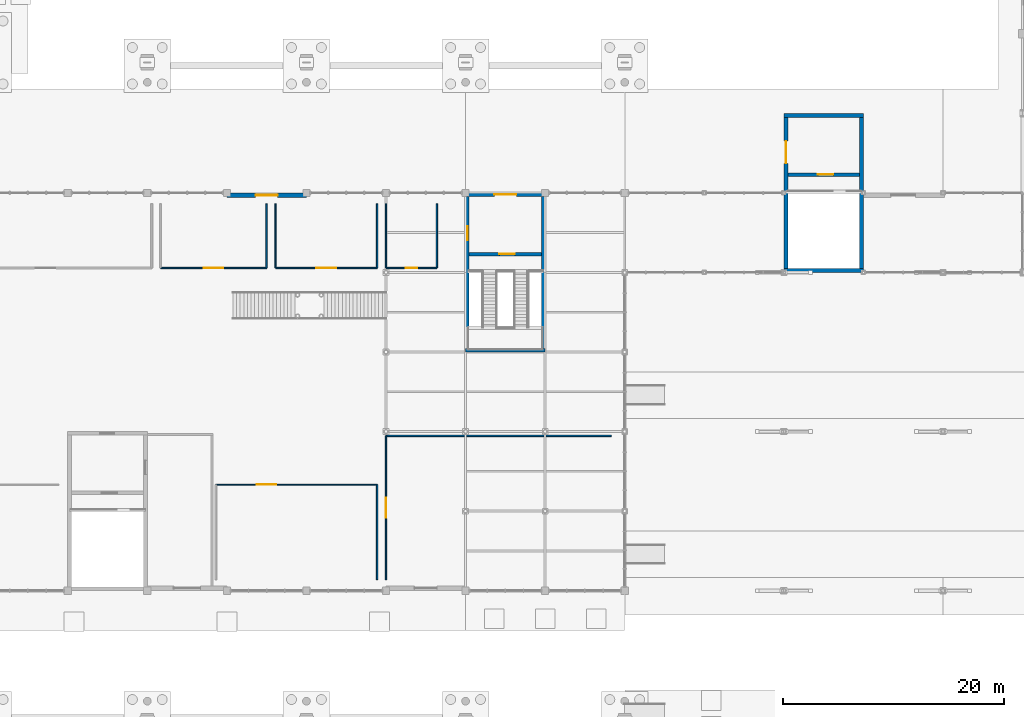
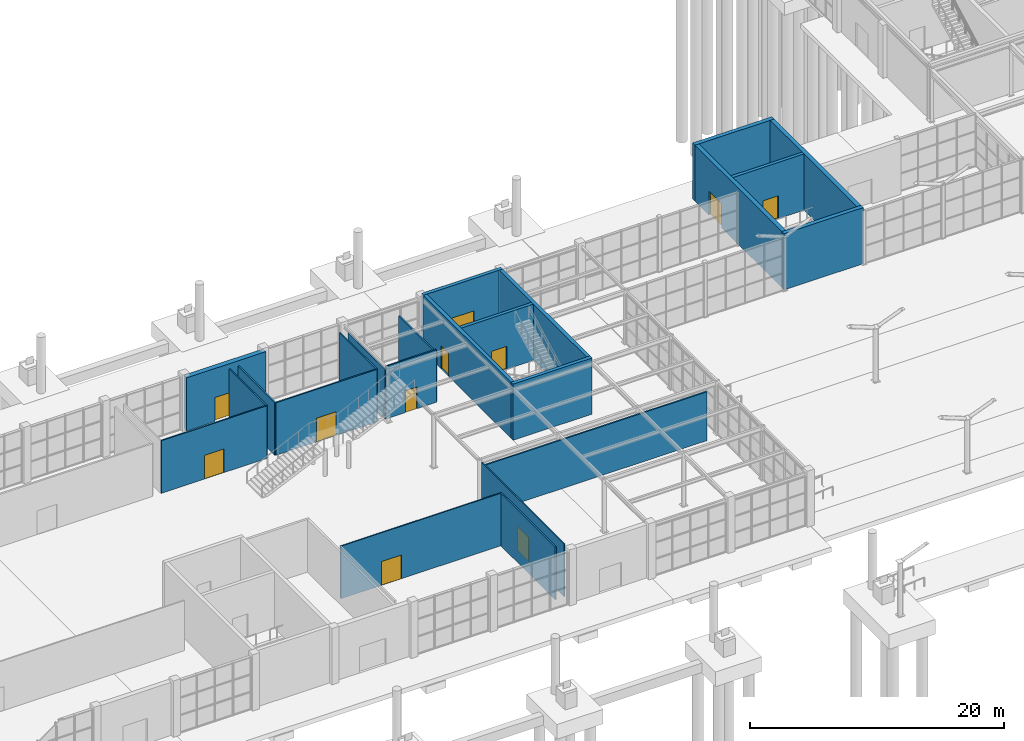
# One storey, part 58 of 75: 23 walls, 11 doors, 11 openings.
"""IFC4 building model written with IfcOpenShell, lengths in metres."""

from ifc_helpers import new_model, si_unit, direction, frame, frame_2d, origin, place, context, subcontext, project, spatial, rectangle, extrude, material, layer, layer_set, type_object, element, fill, save


model = new_model("IFC4")

# Units and contexts
model_context = context("Model", 3, precision=1e-05, world=origin(), true_north=direction((0.0, 1.0)))
body_context = subcontext(model_context, "Body", "Model", "MODEL_VIEW")
ifc_project = project(units=[si_unit("LENGTHUNIT", "METRE"), si_unit("AREAUNIT", "SQUARE_METRE"), si_unit("VOLUMEUNIT", "CUBIC_METRE"), si_unit("PLANEANGLEUNIT", "RADIAN"), si_unit("MASSUNIT", "GRAM", prefix="KILO")], contexts=[model_context])

# Site, building, storey
site_placement = place(None, origin())
site = spatial("IfcSite", under=ifc_project, at=site_placement, CompositionType="ELEMENT")
building_placement = place(site_placement, origin())
building = spatial("IfcBuilding", under=site, at=building_placement, Name="Leyfeld Transit Interchange", CompositionType="ELEMENT")
storey_placement = place(building_placement, origin())
storey = spatial("IfcBuildingStorey", under=building, at=storey_placement, Name="L00", CompositionType="ELEMENT", Elevation=0.0)

# Wall, opening, door
ifc_material_1 = material(Name="Leitha limestone ashlar - Insulated", Category="masonry")
ifc_layer_1 = layer(ifc_material_1, 0.43994140625, Name="Leitha limestone ashlar - Insulated")
ifc_layer_set_1 = layer_set([ifc_layer_1], Name="Leitha limestone ashlar - Insulated")
wall_type_1 = type_object("IfcWallType", Name="WL-EXT-STN-440", PredefinedType="SOLIDWALL", material=ifc_layer_set_1)
wall_1_placement = place(storey_placement, frame((64.800048828125, 50.179931640625, 0.0), z_axis=(0.0, 0.0, 1.0), x_axis=(1.0, 0.0, 0.0)))
wall_1 = element("IfcWall", 1, at=wall_1_placement, inside=storey, type_object=wall_type_1, Name="External Facade Wall EW-L00-027", PredefinedType="SOLIDWALL", context=body_context, shape_type="SweptSolid", body=[
    extrude(rectangle(XDim=7.199951171875, YDim=0.43994140625, at=frame_2d((3.60009765625, 0.0))), origin(), (0.0, 0.0, 1.0), 5.10009765625),
])
opening_1_placement = place(wall_1_placement, frame((2.60009765625, 0.0, 0.0)))
opening_1 = element("IfcOpeningElement", 2, at=opening_1_placement, cuts=wall_1, Name="Opening DE-03", PredefinedType="OPENING", context=body_context, shape_type="SweptSolid", body=[
    extrude(rectangle(XDim=2.0, YDim=2.300048828125, at=frame_2d((1.0, 1.14990234375))), frame((0.0, 0.22998046875, 0.0), z_axis=(0.0, -1.0, 0.0), x_axis=(1.0, 0.0, 0.0)), (0.0, 0.0, 1.0), 0.4599609375),
])
ifc_material_2 = material(Name="Anodised aluminium EN AW-6060 T66", Category="aluminium")
door_type_1 = type_object("IfcDoorType", Name="DR-EXT-DBL-2000x2300", OperationType="NOTDEFINED", PredefinedType="DOOR", material=ifc_material_2)
door_1_placement = place(opening_1_placement, origin())
door_1 = element("IfcDoor", 3, at=door_1_placement, inside=storey, type_object=door_type_1, Name="DR-EXT-L00-008", OperationType="DOUBLE_DOOR_SINGLE_SWING", OverallHeight=2.300048828125, OverallWidth=2.0, PredefinedType="DOOR", context=body_context, shape_type="SweptSolid", body=[
    extrude(rectangle(XDim=2.0, YDim=2.300048828125, at=frame_2d((1.0, 1.14990234375))), frame((0.0, 0.02490234375, 0.0), z_axis=(0.0, -1.0, 0.0), x_axis=(1.0, 0.0, 0.0)), (0.0, 0.0, 1.0), 0.050048828125),
])
fill(opening_1, door_1)

ifc_material_3 = material(Name="Laminated safety acoustic glazing", Category="glass")
ifc_layer_2 = layer(ifc_material_3, 0.10498046875, Name="Laminated safety acoustic glazing")
ifc_layer_set_2 = layer_set([ifc_layer_2], Name="Laminated safety acoustic glazing")
wall_type_2 = type_object("IfcWallType", Name="WL-INT-GLZ-105", PredefinedType="PARTITIONING", material=ifc_layer_set_2)
wall_2_placement = place(storey_placement, frame((63.800048828125, 24.0, 0.0), z_axis=(0.0, 0.0, 1.0), x_axis=(1.0, 0.0, 0.0)))
wall_2 = element("IfcWall", 4, at=wall_2_placement, inside=storey, type_object=wall_type_2, Name="Interior Partition L00-RET-01 N", PredefinedType="PARTITIONING", context=body_context, shape_type="SweptSolid", body=[
    extrude(rectangle(XDim=14.599853515625, YDim=0.10498046875, at=frame_2d((7.2998046875, 0.0))), origin(), (0.0, 0.0, 1.0), 5.050048828125),
])
opening_2_placement = place(wall_2_placement, frame((3.7099609375, 0.0, 0.0)))
opening_2 = element("IfcOpeningElement", 5, at=opening_2_placement, cuts=wall_2, Name="Opening DU-19", PredefinedType="OPENING", context=body_context, shape_type="SweptSolid", body=[
    extrude(rectangle(XDim=1.780029296875, YDim=2.280029296875, at=frame_2d((0.89013671875, 1.14013671875))), frame((0.0, 0.0625, 0.0), z_axis=(0.0, -1.0, 0.0), x_axis=(1.0, 0.0, 0.0)), (0.0, 0.0, 1.0), 0.125),
])
ifc_material_4 = material(Name="Austrian larch glulam GL28h", Category="wood")
door_type_2 = type_object("IfcDoorType", Name="DR-UNQ-19", OperationType="NOTDEFINED", PredefinedType="DOOR", material=ifc_material_4)
door_2_placement = place(opening_2_placement, origin())
door_2 = element("IfcDoor", 6, at=door_2_placement, inside=storey, type_object=door_type_2, Name="DR-L00-RET-01", OperationType="DOUBLE_DOOR_SINGLE_SWING", OverallHeight=2.280029296875, OverallWidth=1.780029296875, PredefinedType="DOOR", context=body_context, shape_type="SweptSolid", body=[
    extrude(rectangle(XDim=1.780029296875, YDim=2.280029296875, at=frame_2d((0.89013671875, 1.14013671875))), frame((0.0, 0.02490234375, 0.0), z_axis=(0.0, -1.0, 0.0), x_axis=(1.0, 0.0, 0.0)), (0.0, 0.0, 1.0), 0.050048828125),
])
fill(opening_2, door_2)

wall_3_placement = place(storey_placement, frame((79.199951171875, 15.39990234375, 0.0), z_axis=(0.0, 0.0, 1.0), x_axis=(0.0, 1.0, 0.0)))
wall_3 = element("IfcWall", 7, at=wall_3_placement, inside=storey, type_object=wall_type_2, Name="Interior Partition L00-RET-02 W", PredefinedType="PARTITIONING", context=body_context, shape_type="SweptSolid", body=[
    extrude(rectangle(XDim=13.0, YDim=0.10498046875, at=frame_2d((6.5, 0.0))), origin(), (0.0, 0.0, 1.0), 5.050048828125),
])
opening_3_placement = place(wall_3_placement, frame((5.610107421875, 0.0, 0.0)))
opening_3 = element("IfcOpeningElement", 8, at=opening_3_placement, cuts=wall_3, Name="Opening DU-19", PredefinedType="OPENING", context=body_context, shape_type="SweptSolid", body=[
    extrude(rectangle(XDim=1.780029296875, YDim=2.280029296875, at=frame_2d((0.89013671875, 1.14013671875))), frame((0.0, 0.0625, 0.0), z_axis=(0.0, -1.0, 0.0), x_axis=(1.0, 0.0, 0.0)), (0.0, 0.0, 1.0), 0.125),
])
door_3_placement = place(opening_3_placement, origin())
door_3 = element("IfcDoor", 9, at=door_3_placement, inside=storey, type_object=door_type_2, Name="DR-L00-RET-02", OperationType="DOUBLE_DOOR_SINGLE_SWING", OverallHeight=2.280029296875, OverallWidth=1.780029296875, PredefinedType="DOOR", context=body_context, shape_type="SweptSolid", body=[
    extrude(rectangle(XDim=1.780029296875, YDim=2.280029296875, at=frame_2d((0.89013671875, 1.14013671875))), frame((0.0, 0.02490234375, 0.0), z_axis=(0.0, -1.0, 0.0), x_axis=(1.0, 0.0, 0.0)), (0.0, 0.0, 1.0), 0.050048828125),
])
fill(opening_3, door_3)

# Walls
ifc_material_5 = material(Name="Gypsum plasterboard acoustic stud", Category="gypsum")
ifc_layer_3 = layer(ifc_material_5, 0.135009765625, Name="Gypsum plasterboard acoustic stud")
ifc_layer_set_3 = layer_set([ifc_layer_3], Name="Gypsum plasterboard acoustic stud")
wall_type_3 = type_object("IfcWallType", Name="WL-INT-RET-135", PredefinedType="PARTITIONING", material=ifc_layer_set_3)
wall_4_placement = place(storey_placement, frame((78.39990234375, 24.0, 0.0), z_axis=(0.0, 0.0, 1.0), x_axis=(0.0, -1.0, 0.0)))
element("IfcWall", 10, at=wall_4_placement, inside=storey, type_object=wall_type_3, Name="Interior Partition L00-RET-01 E", PredefinedType="PARTITIONING", context=body_context, shape_type="SweptSolid", body=[
    extrude(rectangle(XDim=8.60009765625, YDim=0.135009765625, at=frame_2d((4.300048828125, 0.0))), origin(), (0.0, 0.0, 1.0), 5.050048828125),
])
wall_5_placement = place(storey_placement, frame((79.199951171875, 28.39990234375, 0.0), z_axis=(0.0, 0.0, 1.0), x_axis=(1.0, 0.0, 0.0)))
element("IfcWall", 11, at=wall_5_placement, inside=storey, type_object=wall_type_3, Name="Interior Partition L00-RET-02 N", PredefinedType="PARTITIONING", context=body_context, shape_type="SweptSolid", body=[
    extrude(rectangle(XDim=20.400146484375, YDim=0.135009765625, at=frame_2d((10.2001953125, 0.0))), origin(), (0.0, 0.0, 1.0), 4.699951171875),
])

# Wall, opening, door
ifc_material_6 = material(Name="Autoclaved aerated blockwork G4", Category="masonry")
ifc_layer_4 = layer(ifc_material_6, 0.125, Name="Autoclaved aerated blockwork G4")
ifc_layer_set_4 = layer_set([ifc_layer_4], Name="Autoclaved aerated blockwork G4")
wall_type_4 = type_object("IfcWallType", Name="WL-INT-WC-125", PredefinedType="PARTITIONING", material=ifc_layer_set_4)
wall_6_placement = place(storey_placement, frame((68.39990234375, 43.60009765625, 0.0), z_axis=(0.0, 0.0, 1.0), x_axis=(-1.0, 0.0, 0.0)))
wall_6 = element("IfcWall", 12, at=wall_6_placement, inside=storey, type_object=wall_type_4, Name="Interior Partition L00-WCM-01 S", PredefinedType="PARTITIONING", context=body_context, shape_type="SweptSolid", body=[
    extrude(rectangle(XDim=9.599853515625, YDim=0.125, at=frame_2d((4.7998046875, 0.0))), origin(), (0.0, 0.0, 1.0), 5.050048828125),
])
opening_4_placement = place(wall_6_placement, frame((3.909912109375, 0.0, 0.0)))
opening_4 = element("IfcOpeningElement", 13, at=opening_4_placement, cuts=wall_6, Name="Opening DU-19", PredefinedType="OPENING", context=body_context, shape_type="SweptSolid", body=[
    extrude(rectangle(XDim=1.780029296875, YDim=2.280029296875, at=frame_2d((0.89013671875, 1.14013671875))), frame((0.0, 0.072509765625, 0.0), z_axis=(0.0, -1.0, 0.0), x_axis=(1.0, 0.0, 0.0)), (0.0, 0.0, 1.0), 0.14501953125),
])
door_4_placement = place(opening_4_placement, origin())
door_4 = element("IfcDoor", 14, at=door_4_placement, inside=storey, type_object=door_type_2, Name="DR-L00-WCM-01", OperationType="DOUBLE_DOOR_SINGLE_SWING", OverallHeight=2.280029296875, OverallWidth=1.780029296875, PredefinedType="DOOR", context=body_context, shape_type="SweptSolid", body=[
    extrude(rectangle(XDim=1.780029296875, YDim=2.280029296875, at=frame_2d((0.89013671875, 1.14013671875))), frame((0.0, 0.02490234375, 0.0), z_axis=(0.0, -1.0, 0.0), x_axis=(1.0, 0.0, 0.0)), (0.0, 0.0, 1.0), 0.050048828125),
])
fill(opening_4, door_4)

# Wall
wall_7_placement = place(storey_placement, frame((68.39990234375, 49.39990234375, 0.0), z_axis=(0.0, 0.0, 1.0), x_axis=(0.0, -1.0, 0.0)))
element("IfcWall", 15, at=wall_7_placement, inside=storey, type_object=wall_type_4, Name="Interior Partition L00-WCM-01 E", PredefinedType="PARTITIONING", context=body_context, shape_type="SweptSolid", body=[
    extrude(rectangle(XDim=5.7998046875, YDim=0.125, at=frame_2d((2.89990234375, 0.0))), origin(), (0.0, 0.0, 1.0), 5.050048828125),
])

# Wall, opening, door
wall_8_placement = place(storey_placement, frame((78.39990234375, 43.60009765625, 0.0), z_axis=(0.0, 0.0, 1.0), x_axis=(-1.0, 0.0, 0.0)))
wall_8 = element("IfcWall", 16, at=wall_8_placement, inside=storey, type_object=wall_type_4, Name="Interior Partition L00-WCF-01 S", PredefinedType="PARTITIONING", context=body_context, shape_type="SweptSolid", body=[
    extrude(rectangle(XDim=9.199951171875, YDim=0.125, at=frame_2d((4.60009765625, 0.0))), origin(), (0.0, 0.0, 1.0), 5.050048828125),
])
opening_5_placement = place(wall_8_placement, frame((3.7099609375, 0.0, 0.0)))
opening_5 = element("IfcOpeningElement", 17, at=opening_5_placement, cuts=wall_8, Name="Opening DU-19", PredefinedType="OPENING", context=body_context, shape_type="SweptSolid", body=[
    extrude(rectangle(XDim=1.780029296875, YDim=2.280029296875, at=frame_2d((0.89013671875, 1.14013671875))), frame((0.0, 0.072509765625, 0.0), z_axis=(0.0, -1.0, 0.0), x_axis=(1.0, 0.0, 0.0)), (0.0, 0.0, 1.0), 0.14501953125),
])
door_5_placement = place(opening_5_placement, origin())
door_5 = element("IfcDoor", 18, at=door_5_placement, inside=storey, type_object=door_type_2, Name="DR-L00-WCF-01", OperationType="DOUBLE_DOOR_SINGLE_SWING", OverallHeight=2.280029296875, OverallWidth=1.780029296875, PredefinedType="DOOR", context=body_context, shape_type="SweptSolid", body=[
    extrude(rectangle(XDim=1.780029296875, YDim=2.280029296875, at=frame_2d((0.89013671875, 1.14013671875))), frame((0.0, 0.02490234375, 0.0), z_axis=(0.0, -1.0, 0.0), x_axis=(1.0, 0.0, 0.0)), (0.0, 0.0, 1.0), 0.050048828125),
])
fill(opening_5, door_5)

# Walls
for number, where, z_axis, x_axis, name in (
    (19, (78.39990234375, 49.39990234375, 0.0), (0.0, 0.0, 1.0), (0.0, -1.0, 0.0), "Interior Partition L00-WCF-01 E"),
    (20, (69.199951171875, 43.60009765625, 0.0), (0.0, 0.0, 1.0), (0.0, 1.0, 0.0), "Interior Partition L00-WCF-01 W"),
):
    element("IfcWall", number, at=place(storey_placement, frame(where, z_axis=z_axis, x_axis=x_axis)), inside=storey, type_object=wall_type_4, Name=name, PredefinedType="PARTITIONING", context=body_context, shape_type="SweptSolid", body=[
        extrude(rectangle(XDim=5.7998046875, YDim=0.125, at=frame_2d((2.89990234375, 0.0))), origin(), (0.0, 0.0, 1.0), 5.050048828125),
    ])

# Wall, opening, door
wall_9_placement = place(storey_placement, frame((83.800048828125, 43.60009765625, 0.0), z_axis=(0.0, 0.0, 1.0), x_axis=(-1.0, 0.0, 0.0)))
wall_9 = element("IfcWall", 21, at=wall_9_placement, inside=storey, type_object=wall_type_4, Name="Interior Partition L00-WCA-01 S", PredefinedType="PARTITIONING", context=body_context, shape_type="SweptSolid", body=[
    extrude(rectangle(XDim=4.60009765625, YDim=0.125, at=frame_2d((2.300048828125, 0.0))), origin(), (0.0, 0.0, 1.0), 5.050048828125),
])
opening_6_placement = place(wall_9_placement, frame((1.77490234375, 0.0, 0.0)))
opening_6 = element("IfcOpeningElement", 22, at=opening_6_placement, cuts=wall_9, Name="Opening DI-09", PredefinedType="OPENING", context=body_context, shape_type="SweptSolid", body=[
    extrude(rectangle(XDim=1.050048828125, YDim=2.10009765625, at=frame_2d((0.52490234375, 1.050048828125))), frame((0.0, 0.072509765625, 0.0), z_axis=(0.0, -1.0, 0.0), x_axis=(1.0, 0.0, 0.0)), (0.0, 0.0, 1.0), 0.14501953125),
])
door_type_3 = type_object("IfcDoorType", Name="DR-WCA-1050x2100", OperationType="NOTDEFINED", PredefinedType="DOOR", material=ifc_material_4)
door_6_placement = place(opening_6_placement, origin())
door_6 = element("IfcDoor", 23, at=door_6_placement, inside=storey, type_object=door_type_3, Name="DR-L00-WCA-01", OperationType="SINGLE_SWING_LEFT", OverallHeight=2.10009765625, OverallWidth=1.050048828125, PredefinedType="DOOR", context=body_context, shape_type="SweptSolid", body=[
    extrude(rectangle(XDim=1.050048828125, YDim=2.10009765625, at=frame_2d((0.52490234375, 1.050048828125))), frame((0.0, 0.02490234375, 0.0), z_axis=(0.0, -1.0, 0.0), x_axis=(1.0, 0.0, 0.0)), (0.0, 0.0, 1.0), 0.050048828125),
])
fill(opening_6, door_6)

# Walls
for number, where, z_axis, x_axis, name in (
    (24, (83.800048828125, 49.39990234375, 0.0), (0.0, 0.0, 1.0), (0.0, -1.0, 0.0), "Interior Partition L00-WCA-01 E"),
    (25, (79.199951171875, 43.60009765625, 0.0), (0.0, 0.0, 1.0), (0.0, 1.0, 0.0), "Interior Partition L00-WCA-01 W"),
):
    element("IfcWall", number, at=place(storey_placement, frame(where, z_axis=z_axis, x_axis=x_axis)), inside=storey, type_object=wall_type_4, Name=name, PredefinedType="PARTITIONING", context=body_context, shape_type="SweptSolid", body=[
        extrude(rectangle(XDim=5.7998046875, YDim=0.125, at=frame_2d((2.89990234375, 0.0))), origin(), (0.0, 0.0, 1.0), 4.77001953125),
    ])

# Wall, opening, door
ifc_material_7 = material(Name="Concrete C35/45", Category="concrete")
ifc_layer_5 = layer(ifc_material_7, 0.300048828125, Name="Concrete C35/45")
ifc_layer_set_5 = layer_set([ifc_layer_5], Name="Concrete C35/45")
wall_type_5 = type_object("IfcWallType", Name="WL-SH-300", PredefinedType="SHEAR", material=ifc_layer_set_5)
wall_10_placement = place(storey_placement, frame((86.719970703125, 44.85009765625, 0.0), z_axis=(0.0, 0.0, 1.0), x_axis=(1.0, 0.0, 0.0)))
wall_10 = element("IfcWall", 26, at=wall_10_placement, inside=storey, type_object=wall_type_5, Name="Core K7 Shear Wall STRN L00", PredefinedType="SHEAR", context=body_context, shape_type="SweptSolid", body=[
    extrude(rectangle(XDim=6.56005859375, YDim=0.300048828125, at=frame_2d((3.280029296875, 0.0))), origin(), (0.0, 0.0, 1.0), 5.39990234375),
])
opening_7_placement = place(wall_10_placement, frame((2.739990234375, 0.0, 0.0)))
opening_7 = element("IfcOpeningElement", 27, at=opening_7_placement, cuts=wall_10, Name="Opening DI-01", PredefinedType="OPENING", context=body_context, shape_type="SweptSolid", body=[
    extrude(rectangle(XDim=1.39990234375, YDim=2.199951171875, at=frame_2d((0.699951171875, 1.10009765625))), frame((0.0, 0.159912109375, 0.0), z_axis=(0.0, -1.0, 0.0), x_axis=(1.0, 0.0, 0.0)), (0.0, 0.0, 1.0), 0.320068359375),
])
ifc_material_8 = material(Name="Galvanised steel S275JR", Category="steel")
door_type_4 = type_object("IfcDoorType", Name="DR-STR-1400x2200", OperationType="NOTDEFINED", PredefinedType="DOOR", material=ifc_material_8)
door_7_placement = place(opening_7_placement, origin())
door_7 = element("IfcDoor", 28, at=door_7_placement, inside=storey, type_object=door_type_4, Name="DR-STR-INT-K7-L00", OperationType="SINGLE_SWING_RIGHT", OverallHeight=2.199951171875, OverallWidth=1.39990234375, PredefinedType="DOOR", context=body_context, shape_type="SweptSolid", body=[
    extrude(rectangle(XDim=1.39990234375, YDim=2.199951171875, at=frame_2d((0.699951171875, 1.10009765625))), frame((0.0, 0.02490234375, 0.0), z_axis=(0.0, -1.0, 0.0), x_axis=(1.0, 0.0, 0.0)), (0.0, 0.0, 1.0), 0.050048828125),
])
fill(opening_7, door_7)

wall_11_placement = place(storey_placement, frame((115.570068359375, 52.050048828125, 0.0), z_axis=(0.0, 0.0, 1.0), x_axis=(1.0, 0.0, 0.0)))
wall_11 = element("IfcWall", 29, at=wall_11_placement, inside=storey, type_object=wall_type_5, Name="Core K9 Shear Wall STRN L00", PredefinedType="SHEAR", context=body_context, shape_type="SweptSolid", body=[
    extrude(rectangle(XDim=6.4599609375, YDim=0.300048828125, at=frame_2d((3.22998046875, 0.0))), origin(), (0.0, 0.0, 1.0), 5.39990234375),
])
opening_8_placement = place(wall_11_placement, frame((2.715087890625, 0.0, 0.0)))
opening_8 = element("IfcOpeningElement", 30, at=opening_8_placement, cuts=wall_11, Name="Opening DI-01", PredefinedType="OPENING", context=body_context, shape_type="SweptSolid", body=[
    extrude(rectangle(XDim=1.39990234375, YDim=2.199951171875, at=frame_2d((0.699951171875, 1.10009765625))), frame((0.0, 0.159912109375, 0.0), z_axis=(0.0, -1.0, 0.0), x_axis=(1.0, 0.0, 0.0)), (0.0, 0.0, 1.0), 0.320068359375),
])
door_8_placement = place(opening_8_placement, origin())
door_8 = element("IfcDoor", 31, at=door_8_placement, inside=storey, type_object=door_type_4, Name="DR-STR-INT-K9-L00", OperationType="SINGLE_SWING_RIGHT", OverallHeight=2.199951171875, OverallWidth=1.39990234375, PredefinedType="DOOR", context=body_context, shape_type="SweptSolid", body=[
    extrude(rectangle(XDim=1.39990234375, YDim=2.199951171875, at=frame_2d((0.699951171875, 1.10009765625))), frame((0.0, 0.02490234375, 0.0), z_axis=(0.0, -1.0, 0.0), x_axis=(1.0, 0.0, 0.0)), (0.0, 0.0, 1.0), 0.050048828125),
])
fill(opening_8, door_8)

ifc_layer_6 = layer(ifc_material_7, 0.320068359375, Name="Concrete C35/45")
ifc_layer_set_6 = layer_set([ifc_layer_6], Name="Concrete C35/45")
wall_type_6 = type_object("IfcWallType", Name="WL-SH-VAR-320", PredefinedType="SHEAR", material=ifc_layer_set_6)
wall_12_placement = place(storey_placement, frame((86.39990234375, 50.239990234375, 0.0), z_axis=(0.0, 0.0, 1.0), x_axis=(1.0, 0.0, 0.0)))
wall_12 = element("IfcWall", 32, at=wall_12_placement, inside=storey, type_object=wall_type_6, Name="Core K7 Shear Wall N L00", PredefinedType="SHEAR", context=body_context, shape_type="SweptSolid", body=[
    extrude(rectangle(XDim=7.2001953125, YDim=0.320068359375, at=frame_2d((3.60009765625, 0.0))), origin(), (0.0, 0.0, 1.0), 5.39990234375),
])
opening_9_placement = place(wall_12_placement, frame((2.60009765625, 0.0, 0.0)))
opening_9 = element("IfcOpeningElement", 33, at=opening_9_placement, cuts=wall_12, Name="Opening DE-03", PredefinedType="OPENING", context=body_context, shape_type="SweptSolid", body=[
    extrude(rectangle(XDim=2.0, YDim=2.300048828125, at=frame_2d((1.0, 1.14990234375))), frame((0.0, 0.169921875, 0.0), z_axis=(0.0, -1.0, 0.0), x_axis=(1.0, 0.0, 0.0)), (0.0, 0.0, 1.0), 0.340087890625),
])
door_9_placement = place(opening_9_placement, origin())
door_9 = element("IfcDoor", 34, at=door_9_placement, inside=storey, type_object=door_type_1, Name="DR-EXT-CORE-K7", OperationType="DOUBLE_DOOR_SINGLE_SWING", OverallHeight=2.300048828125, OverallWidth=2.0, PredefinedType="DOOR", context=body_context, shape_type="SweptSolid", body=[
    extrude(rectangle(XDim=2.0, YDim=2.300048828125, at=frame_2d((1.0, 1.14990234375))), frame((0.0, 0.02490234375, 0.0), z_axis=(0.0, -1.0, 0.0), x_axis=(1.0, 0.0, 0.0)), (0.0, 0.0, 1.0), 0.050048828125),
])
fill(opening_9, door_9)

# Walls
wall_13_placement = place(storey_placement, frame((93.43994140625, 50.080078125, 0.0), z_axis=(0.0, 0.0, 1.0), x_axis=(0.0, -1.0, 0.0)))
element("IfcWall", 35, at=wall_13_placement, inside=storey, type_object=wall_type_6, Name="Core K7 Shear Wall E L00", PredefinedType="SHEAR", context=body_context, shape_type="SweptSolid", body=[
    extrude(rectangle(XDim=13.760009765625, YDim=0.320068359375, at=frame_2d((6.8798828125, 0.0))), origin(), (0.0, 0.0, 1.0), 5.39990234375),
])
wall_14_placement = place(storey_placement, frame((93.60009765625, 36.159912109375, 0.0), z_axis=(0.0, 0.0, 1.0), x_axis=(-1.0, 0.0, 0.0)))
element("IfcWall", 36, at=wall_14_placement, inside=storey, type_object=wall_type_6, Name="Core K7 Shear Wall S L00", PredefinedType="SHEAR", context=body_context, shape_type="SweptSolid", body=[
    extrude(rectangle(XDim=7.2001953125, YDim=0.320068359375, at=frame_2d((3.60009765625, 0.0))), origin(), (0.0, 0.0, 1.0), 5.39990234375),
])

# Wall, opening, door
wall_15_placement = place(storey_placement, frame((86.56005859375, 36.320068359375, 0.0), z_axis=(0.0, 0.0, 1.0), x_axis=(0.0, 1.0, 0.0)))
wall_15 = element("IfcWall", 37, at=wall_15_placement, inside=storey, type_object=wall_type_6, Name="Core K7 Shear Wall W L00", PredefinedType="SHEAR", context=body_context, shape_type="SweptSolid", body=[
    extrude(rectangle(XDim=13.760009765625, YDim=0.320068359375, at=frame_2d((6.8798828125, 0.0))), origin(), (0.0, 0.0, 1.0), 5.39990234375),
])
opening_10_placement = place(wall_15_placement, frame((9.800048828125, 0.0, 0.0)))
opening_10 = element("IfcOpeningElement", 38, at=opening_10_placement, cuts=wall_15, Name="Opening DI-02", PredefinedType="OPENING", context=body_context, shape_type="SweptSolid", body=[
    extrude(rectangle(XDim=1.25, YDim=2.199951171875, at=frame_2d((0.625, 1.10009765625))), frame((0.0, 0.169921875, 0.0), z_axis=(0.0, -1.0, 0.0), x_axis=(1.0, 0.0, 0.0)), (0.0, 0.0, 1.0), 0.340087890625),
])
door_type_5 = type_object("IfcDoorType", Name="DR-FFL-1250x2200", OperationType="NOTDEFINED", PredefinedType="DOOR", material=ifc_material_8)
door_10_placement = place(opening_10_placement, origin())
door_10 = element("IfcDoor", 39, at=door_10_placement, inside=storey, type_object=door_type_5, Name="DR-CORE-OUT-K7-L00", OperationType="SINGLE_SWING_LEFT", OverallHeight=2.199951171875, OverallWidth=1.25, PredefinedType="DOOR", context=body_context, shape_type="SweptSolid", body=[
    extrude(rectangle(XDim=1.25, YDim=2.199951171875, at=frame_2d((0.625, 1.10009765625))), frame((0.0, 0.02490234375, 0.0), z_axis=(0.0, -1.0, 0.0), x_axis=(1.0, 0.0, 0.0)), (0.0, 0.0, 1.0), 0.050048828125),
])
fill(opening_10, door_10)

# Walls
ifc_layer_7 = layer(ifc_material_7, 0.3701171875, Name="Concrete C35/45")
ifc_layer_set_7 = layer_set([ifc_layer_7], Name="Concrete C35/45")
wall_type_7 = type_object("IfcWallType", Name="WL-SH-VAR-370", PredefinedType="SHEAR", material=ifc_layer_set_7)
wall_16_placement = place(storey_placement, frame((115.199951171875, 57.4150390625, 0.0), z_axis=(0.0, 0.0, 1.0), x_axis=(1.0, 0.0, 0.0)))
element("IfcWall", 40, at=wall_16_placement, inside=storey, type_object=wall_type_7, Name="Core K9 Shear Wall N L00", PredefinedType="SHEAR", context=body_context, shape_type="SweptSolid", body=[
    extrude(rectangle(XDim=7.199951171875, YDim=0.3701171875, at=frame_2d((3.60009765625, 0.0))), origin(), (0.0, 0.0, 1.0), 5.39990234375),
])
wall_17_placement = place(storey_placement, frame((122.215087890625, 57.22998046875, 0.0), z_axis=(0.0, 0.0, 1.0), x_axis=(0.0, -1.0, 0.0)))
element("IfcWall", 41, at=wall_17_placement, inside=storey, type_object=wall_type_7, Name="Core K9 Shear Wall E L00", PredefinedType="SHEAR", context=body_context, shape_type="SweptSolid", body=[
    extrude(rectangle(XDim=13.659912109375, YDim=0.3701171875, at=frame_2d((6.830078125, 0.0))), origin(), (0.0, 0.0, 1.0), 5.39990234375),
])
wall_18_placement = place(storey_placement, frame((122.39990234375, 43.385009765625, 0.0), z_axis=(0.0, 0.0, 1.0), x_axis=(-1.0, 0.0, 0.0)))
element("IfcWall", 42, at=wall_18_placement, inside=storey, type_object=wall_type_7, Name="Core K9 Shear Wall S L00", PredefinedType="SHEAR", context=body_context, shape_type="SweptSolid", body=[
    extrude(rectangle(XDim=7.199951171875, YDim=0.3701171875, at=frame_2d((3.60009765625, 0.0))), origin(), (0.0, 0.0, 1.0), 5.39990234375),
])

# Wall, opening, door
wall_19_placement = place(storey_placement, frame((115.385009765625, 43.570068359375, 0.0), z_axis=(0.0, 0.0, 1.0), x_axis=(0.0, 1.0, 0.0)))
wall_19 = element("IfcWall", 43, at=wall_19_placement, inside=storey, type_object=wall_type_7, Name="Core K9 Shear Wall W L00", PredefinedType="SHEAR", context=body_context, shape_type="SweptSolid", body=[
    extrude(rectangle(XDim=13.659912109375, YDim=0.3701171875, at=frame_2d((6.830078125, 0.0))), origin(), (0.0, 0.0, 1.0), 5.39990234375),
])
opening_11_placement = place(wall_19_placement, frame((9.5, 0.0, 0.0)))
opening_11 = element("IfcOpeningElement", 44, at=opening_11_placement, cuts=wall_19, Name="Opening DE-03", PredefinedType="OPENING", context=body_context, shape_type="SweptSolid", body=[
    extrude(rectangle(XDim=2.0, YDim=2.300048828125, at=frame_2d((1.0, 1.14990234375))), frame((0.0, 0.195068359375, 0.0), z_axis=(0.0, -1.0, 0.0), x_axis=(1.0, 0.0, 0.0)), (0.0, 0.0, 1.0), 0.39013671875),
])
door_11_placement = place(opening_11_placement, origin())
door_11 = element("IfcDoor", 45, at=door_11_placement, inside=storey, type_object=door_type_1, Name="DR-EXT-CORE-K9", OperationType="DOUBLE_DOOR_SINGLE_SWING", OverallHeight=2.300048828125, OverallWidth=2.0, PredefinedType="DOOR", context=body_context, shape_type="SweptSolid", body=[
    extrude(rectangle(XDim=2.0, YDim=2.300048828125, at=frame_2d((1.0, 1.14990234375))), frame((0.0, 0.02490234375, 0.0), z_axis=(0.0, -1.0, 0.0), x_axis=(1.0, 0.0, 0.0)), (0.0, 0.0, 1.0), 0.050048828125),
])
fill(opening_11, door_11)

save(model, "model.ifc")
